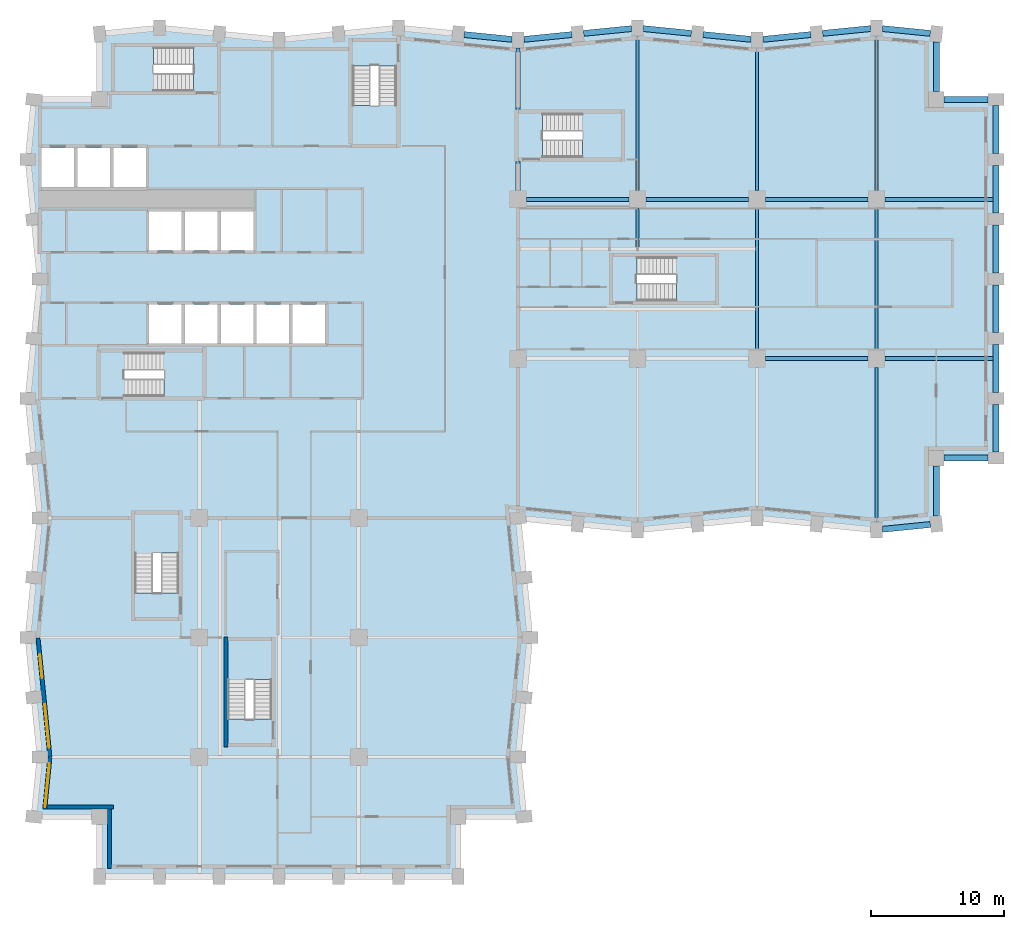
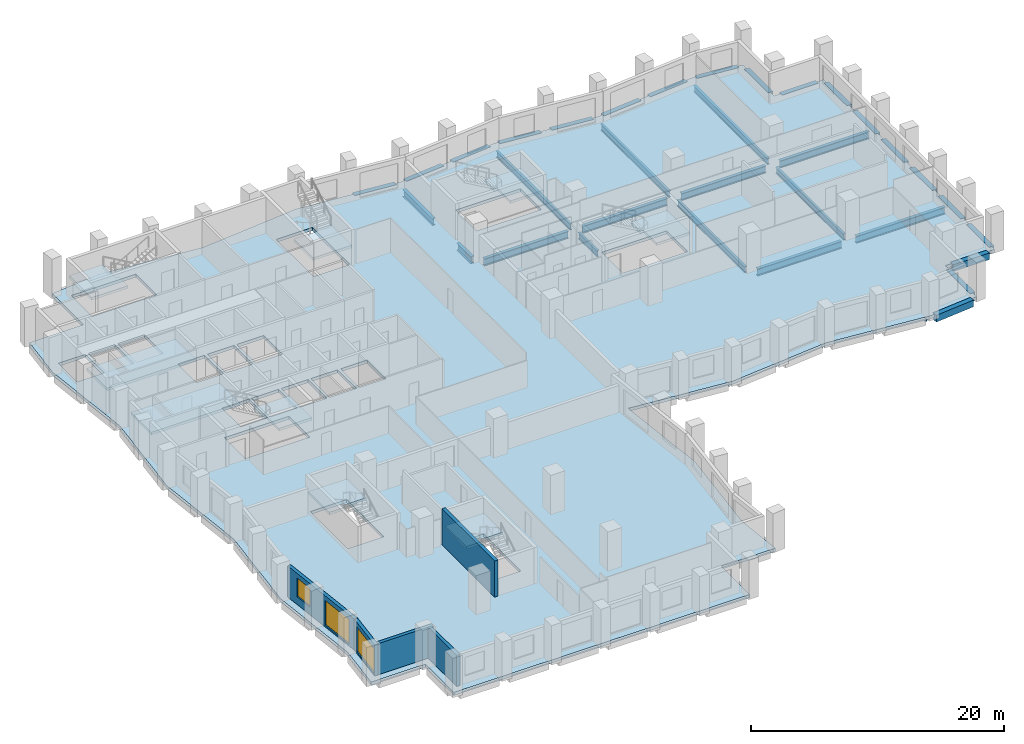
# One storey, part 2 of 11: 34 beams, 10 slabs, 5 walls, 3 windows, 3 openings, 7 elements without a shape of their own.
"""IFC4 building model written with IfcOpenShell, lengths in metres."""

from ifc_helpers import new_model, si_unit, direction, frame, frame_2d, origin, origin_2d, place, context, subcontext, project, spatial, polyline, rectangle, i_section, outline, extrude, material, layer, layer_set, material_profile, profile_set, type_object, element, fill, aggregate, save


model = new_model("IFC4")

# Units and contexts
model_context = context("Model", 3, precision=1e-05, world=origin(), true_north=direction((0.0, 1.0)))
body_context = subcontext(model_context, "Body", "Model", "MODEL_VIEW")
ifc_project = project(units=[si_unit("LENGTHUNIT", "METRE"), si_unit("AREAUNIT", "SQUARE_METRE"), si_unit("VOLUMEUNIT", "CUBIC_METRE"), si_unit("PLANEANGLEUNIT", "RADIAN"), si_unit("MASSUNIT", "GRAM", prefix="KILO")], contexts=[model_context])

# Site, building, storey
site_placement = place(None, origin())
site = spatial("IfcSite", under=ifc_project, at=site_placement, CompositionType="ELEMENT")
building_placement = place(site_placement, origin())
building = spatial("IfcBuilding", under=site, at=building_placement, Name="Brondeck Convention Tower", CompositionType="ELEMENT")
storey_placement = place(building_placement, frame((0.0, 0.0, 134.10009765625)))
storey = spatial("IfcBuildingStorey", under=building, at=storey_placement, Name="L32", CompositionType="ELEMENT", Elevation=134.10009765625)

# Beams
ifc_material_1 = material(Name="Steel S355", Category="steel")
ifc_material_profile_1 = material_profile(ifc_material_1, i_section(OverallWidth=0.219970703125, OverallDepth=0.60009765625, WebThickness=0.011962890625, FlangeThickness=0.01904296875, FilletRadius=0.02392578125, at=origin_2d()), Name="IPE 600")
ifc_profile_set_1 = profile_set([ifc_material_profile_1], Name="Steel S355")
beam_type_1 = type_object("IfcBeamType", Name="Floor beam IPE 600", PredefinedType="BEAM", material=ifc_profile_set_1)
beam_1_placement = place(storey_placement, frame((45.0, 51.64990234375, -0.60009765625), z_axis=(0.0, 1.0, 0.0), x_axis=(-1.0, 0.0, 0.0)))
element("IfcBeam", 1, at=beam_1_placement, inside=storey, type_object=beam_type_1, Name="STR-FB-L32-002", PredefinedType="BEAM", context=body_context, shape_type="SweptSolid", body=[
    extrude(i_section(OverallWidth=0.219970703125, OverallDepth=0.60009765625, WebThickness=0.011962890625, FlangeThickness=0.01904296875, FilletRadius=0.02392578125, at=origin_2d()), origin(), (0.0, 0.0, 1.0), 11.650146484375),
])
beam_2_placement = place(storey_placement, frame((54.0, 39.64990234375, -0.60009765625), z_axis=(0.0, 1.0, 0.0), x_axis=(-1.0, 0.0, 0.0)))
element("IfcBeam", 2, at=beam_2_placement, inside=storey, type_object=beam_type_1, Name="STR-FB-L32-004", PredefinedType="BEAM", context=body_context, shape_type="SweptSolid", body=[
    extrude(i_section(OverallWidth=0.219970703125, OverallDepth=0.60009765625, WebThickness=0.011962890625, FlangeThickness=0.01904296875, FilletRadius=0.02392578125, at=origin_2d()), origin(), (0.0, 0.0, 1.0), 10.7001953125),
])
beam_3_placement = place(storey_placement, frame((54.0, 51.64990234375, -0.60009765625), z_axis=(0.0, 1.0, 0.0), x_axis=(-1.0, 0.0, 0.0)))
element("IfcBeam", 3, at=beam_3_placement, inside=storey, type_object=beam_type_1, Name="STR-FB-L32-005", PredefinedType="BEAM", context=body_context, shape_type="SweptSolid", body=[
    extrude(i_section(OverallWidth=0.219970703125, OverallDepth=0.60009765625, WebThickness=0.011962890625, FlangeThickness=0.01904296875, FilletRadius=0.02392578125, at=origin_2d()), origin(), (0.0, 0.0, 1.0), 10.75),
])
beam_4_placement = place(storey_placement, frame((63.0, 26.699951171875, -0.60009765625), z_axis=(0.0, 1.0, 0.0), x_axis=(-1.0, 0.0, 0.0)))
element("IfcBeam", 4, at=beam_4_placement, inside=storey, type_object=beam_type_1, Name="STR-FB-L32-006", PredefinedType="BEAM", context=body_context, shape_type="SweptSolid", body=[
    extrude(i_section(OverallWidth=0.219970703125, OverallDepth=0.60009765625, WebThickness=0.011962890625, FlangeThickness=0.01904296875, FilletRadius=0.02392578125, at=origin_2d()), origin(), (0.0, 0.0, 1.0), 11.650146484375),
])
beam_5_placement = place(storey_placement, frame((63.0, 39.64990234375, -0.60009765625), z_axis=(0.0, 1.0, 0.0), x_axis=(-1.0, 0.0, 0.0)))
element("IfcBeam", 5, at=beam_5_placement, inside=storey, type_object=beam_type_1, Name="STR-FB-L32-007", PredefinedType="BEAM", context=body_context, shape_type="SweptSolid", body=[
    extrude(i_section(OverallWidth=0.219970703125, OverallDepth=0.60009765625, WebThickness=0.011962890625, FlangeThickness=0.01904296875, FilletRadius=0.02392578125, at=origin_2d()), origin(), (0.0, 0.0, 1.0), 10.7001953125),
])
beam_6_placement = place(storey_placement, frame((63.0, 51.64990234375, -0.60009765625), z_axis=(0.0, 1.0, 0.0), x_axis=(-1.0, 0.0, 0.0)))
element("IfcBeam", 6, at=beam_6_placement, inside=storey, type_object=beam_type_1, Name="STR-FB-L32-008", PredefinedType="BEAM", context=body_context, shape_type="SweptSolid", body=[
    extrude(i_section(OverallWidth=0.219970703125, OverallDepth=0.60009765625, WebThickness=0.011962890625, FlangeThickness=0.01904296875, FilletRadius=0.02392578125, at=origin_2d()), origin(), (0.0, 0.0, 1.0), 11.650146484375),
])
beam_7_placement = place(storey_placement, frame((45.0, 47.39990234375, -0.60009765625), z_axis=(0.0, 1.0, 0.0), x_axis=(-1.0, 0.0, 0.0)))
element("IfcBeam", 7, at=beam_7_placement, inside=storey, type_object=beam_type_1, Name="STR-FB-L32-015", PredefinedType="BEAM", context=body_context, shape_type="SweptSolid", body=[
    extrude(i_section(OverallWidth=0.219970703125, OverallDepth=0.60009765625, WebThickness=0.011962890625, FlangeThickness=0.01904296875, FilletRadius=0.02392578125, at=origin_2d()), origin(), (0.0, 0.0, 1.0), 2.9501953125),
])
ifc_material_profile_2 = material_profile(ifc_material_1, i_section(OverallWidth=0.300048828125, OverallDepth=0.699951171875, WebThickness=0.01708984375, FlangeThickness=0.031982421875, FilletRadius=0.027099609375, at=origin_2d()), Name="HEB 700")
ifc_profile_set_2 = profile_set([ifc_material_profile_2], Name="Steel S355")
beam_type_2 = type_object("IfcBeamType", Name="Girder HEB 700", PredefinedType="BEAM", material=ifc_profile_set_2)
beam_8_placement = place(storey_placement, frame((54.64990234375, 39.0, -0.650146484375), z_axis=(1.0, 0.0, 0.0), x_axis=(0.0, 1.0, 0.0)))
element("IfcBeam", 8, at=beam_8_placement, inside=storey, type_object=beam_type_2, Name="STR-GR-L32-003", PredefinedType="BEAM", context=body_context, shape_type="SweptSolid", body=[
    extrude(i_section(OverallWidth=0.300048828125, OverallDepth=0.699951171875, WebThickness=0.01708984375, FlangeThickness=0.031982421875, FilletRadius=0.027099609375, at=origin_2d()), origin(), (0.0, 0.0, 1.0), 7.7001953125),
])
beam_9_placement = place(storey_placement, frame((63.64990234375, 39.0, -0.650146484375), z_axis=(1.0, 0.0, 0.0), x_axis=(0.0, 1.0, 0.0)))
element("IfcBeam", 9, at=beam_9_placement, inside=storey, type_object=beam_type_2, Name="STR-GR-L32-004", PredefinedType="BEAM", context=body_context, shape_type="SweptSolid", body=[
    extrude(i_section(OverallWidth=0.300048828125, OverallDepth=0.699951171875, WebThickness=0.01708984375, FlangeThickness=0.031982421875, FilletRadius=0.027099609375, at=origin_2d()), origin(), (0.0, 0.0, 1.0), 8.125),
])
for number, where, z_axis, x_axis, name in (
    (10, (36.64990234375, 51.0, -0.650146484375), (1.0, 0.0, 0.0), (0.0, 1.0, 0.0), "STR-GR-L32-005"),
    (11, (45.64990234375, 51.0, -0.650146484375), (1.0, 0.0, 0.0), (0.0, 1.0, 0.0), "STR-GR-L32-006"),
    (12, (54.64990234375, 51.0, -0.650146484375), (1.0, 0.0, 0.0), (0.0, 1.0, 0.0), "STR-GR-L32-007"),
):
    element("IfcBeam", number, at=place(storey_placement, frame(where, z_axis=z_axis, x_axis=x_axis)), inside=storey, type_object=beam_type_2, Name=name, PredefinedType="BEAM", context=body_context, shape_type="SweptSolid", body=[
        extrude(i_section(OverallWidth=0.300048828125, OverallDepth=0.699951171875, WebThickness=0.01708984375, FlangeThickness=0.031982421875, FilletRadius=0.027099609375, at=origin_2d()), origin(), (0.0, 0.0, 1.0), 7.7001953125),
    ])
beam_10_placement = place(storey_placement, frame((63.64990234375, 51.0, -0.650146484375), z_axis=(1.0, 0.0, 0.0), x_axis=(0.0, 1.0, 0.0)))
element("IfcBeam", 13, at=beam_10_placement, inside=storey, type_object=beam_type_2, Name="STR-GR-L32-008", PredefinedType="BEAM", context=body_context, shape_type="SweptSolid", body=[
    extrude(i_section(OverallWidth=0.300048828125, OverallDepth=0.699951171875, WebThickness=0.01708984375, FlangeThickness=0.031982421875, FilletRadius=0.027099609375, at=origin_2d()), origin(), (0.0, 0.0, 1.0), 8.125),
])
beam_11_placement = place(storey_placement, frame((36.0, 51.64990234375, -0.650146484375), z_axis=(0.0, 1.0, 0.0), x_axis=(-1.0, 0.0, 0.0)))
element("IfcBeam", 14, at=beam_11_placement, inside=storey, type_object=beam_type_2, Name="STR-GR-L32-011", PredefinedType="BEAM", context=body_context, shape_type="SweptSolid", body=[
    extrude(i_section(OverallWidth=0.300048828125, OverallDepth=0.699951171875, WebThickness=0.01708984375, FlangeThickness=0.031982421875, FilletRadius=0.027099609375, at=origin_2d()), origin(), (0.0, 0.0, 1.0), 2.22998046875),
])
beam_12_placement = place(storey_placement, frame((36.0, 57.719970703125, -0.650146484375), z_axis=(0.0, 1.0, 0.0), x_axis=(-1.0, 0.0, 0.0)))
element("IfcBeam", 15, at=beam_12_placement, inside=storey, type_object=beam_type_2, Name="STR-GR-L32-012", PredefinedType="BEAM", context=body_context, shape_type="SweptSolid", body=[
    extrude(i_section(OverallWidth=0.300048828125, OverallDepth=0.699951171875, WebThickness=0.01708984375, FlangeThickness=0.031982421875, FilletRadius=0.027099609375, at=origin_2d()), origin(), (0.0, 0.0, 1.0), 4.679931640625),
])
ifc_material_2 = material(Name="Concrete C70/85", Category="concrete")
ifc_material_profile_3 = material_profile(ifc_material_2, rectangle(XDim=0.449951171875, YDim=0.64990234375, at=origin_2d()), Name="Precast spandrel 450x650 Concrete C70/85")
ifc_profile_set_3 = profile_set([ifc_material_profile_3], Name="Concrete C70/85")
beam_type_3 = type_object("IfcBeamType", Name="Precast spandrel 450x650 Concrete C70/85", PredefinedType="SPANDREL", material=ifc_profile_set_3)
beam_13_placement = place(storey_placement, frame((63.449951171875, 26.14501953125, -0.3251953125), z_axis=(0.995040528141, 0.099470334057, 0.0), x_axis=(-0.099470334057, 0.995040528141, 0.0)))
element("IfcBeam", 16, at=beam_13_placement, inside=storey, type_object=beam_type_3, Name="STR-SP-L32-020", PredefinedType="SPANDREL", context=body_context, shape_type="SweptSolid", body=[
    extrude(rectangle(XDim=0.449951171875, YDim=0.64990234375, at=origin_2d()), origin(), (0.0, 0.0, 1.0), 3.620361328125),
])
beam_14_placement = place(storey_placement, frame((67.5, 27.153076171875, -0.3251953125), z_axis=(0.0, 1.0, 0.0), x_axis=(-1.0, 0.0, 0.0)))
element("IfcBeam", 17, at=beam_14_placement, inside=storey, type_object=beam_type_3, Name="STR-SP-L32-021", PredefinedType="SPANDREL", context=body_context, shape_type="SweptSolid", body=[
    extrude(rectangle(XDim=0.449951171875, YDim=0.64990234375, at=origin_2d()), origin(), (0.0, 0.0, 1.0), 3.746826171875),
])
beam_15_placement = place(storey_placement, frame((68.10009765625, 31.5, -0.3251953125), z_axis=(1.0, 0.0, 0.0), x_axis=(0.0, 1.0, 0.0)))
element("IfcBeam", 18, at=beam_15_placement, inside=storey, type_object=beam_type_3, Name="STR-SP-L32-022", PredefinedType="SPANDREL", context=body_context, shape_type="SweptSolid", body=[
    extrude(rectangle(XDim=0.449951171875, YDim=0.64990234375, at=origin_2d()), origin(), (0.0, 0.0, 1.0), 3.2998046875),
])
for number, where, z_axis, x_axis, name in (
    (19, (72.0, 31.949951171875, -0.3251953125), (0.0, 1.0, 0.0), (-1.0, 0.0, 0.0), "STR-SP-L32-023"),
    (20, (72.0, 36.449951171875, -0.3251953125), (0.0, 1.0, 0.0), (-1.0, 0.0, 0.0), "STR-SP-L32-024"),
    (21, (72.0, 40.949951171875, -0.3251953125), (0.0, 1.0, 0.0), (-1.0, 0.0, 0.0), "STR-SP-L32-025"),
    (22, (72.0, 45.449951171875, -0.3251953125), (0.0, 1.0, 0.0), (-1.0, 0.0, 0.0), "STR-SP-L32-026"),
    (23, (72.0, 49.949951171875, -0.3251953125), (0.0, 1.0, 0.0), (-1.0, 0.0, 0.0), "STR-SP-L32-027"),
    (24, (72.0, 54.449951171875, -0.3251953125), (0.0, 1.0, 0.0), (-1.0, 0.0, 0.0), "STR-SP-L32-028"),
):
    element("IfcBeam", number, at=place(storey_placement, frame(where, z_axis=z_axis, x_axis=x_axis)), inside=storey, type_object=beam_type_3, Name=name, PredefinedType="SPANDREL", context=body_context, shape_type="SweptSolid", body=[
        extrude(rectangle(XDim=0.449951171875, YDim=0.64990234375, at=origin_2d()), origin(), (0.0, 0.0, 1.0), 3.60009765625),
    ])
beam_16_placement = place(storey_placement, frame((71.39990234375, 58.5, -0.3251953125), z_axis=(-1.0, 0.0, 0.0), x_axis=(0.0, -1.0, 0.0)))
element("IfcBeam", 25, at=beam_16_placement, inside=storey, type_object=beam_type_3, Name="STR-SP-L32-029", PredefinedType="SPANDREL", context=body_context, shape_type="SweptSolid", body=[
    extrude(rectangle(XDim=0.449951171875, YDim=0.64990234375, at=origin_2d()), origin(), (0.0, 0.0, 1.0), 3.2998046875),
])
beam_17_placement = place(storey_placement, frame((67.5, 59.10009765625, -0.3251953125), z_axis=(0.0, 1.0, 0.0), x_axis=(-1.0, 0.0, 0.0)))
element("IfcBeam", 26, at=beam_17_placement, inside=storey, type_object=beam_type_3, Name="STR-SP-L32-030", PredefinedType="SPANDREL", context=body_context, shape_type="SweptSolid", body=[
    extrude(rectangle(XDim=0.449951171875, YDim=0.64990234375, at=origin_2d()), origin(), (0.0, 0.0, 1.0), 3.746826171875),
])
for number, where, z_axis, x_axis, name in (
    (27, (67.05224609375, 63.494873046875, -0.3251953125), (-0.995040528141, 0.099470334057, 0.0), (-0.099470334057, -0.995040528141, 0.0), "STR-SP-L32-031"),
    (28, (62.550048828125, 63.85498046875, -0.3251953125), (-0.995040528141, -0.099470334057, 0.0), (0.099470334057, -0.995040528141, 0.0), "STR-SP-L32-032"),
    (29, (58.05224609375, 63.4052734375, -0.3251953125), (-0.995033851182, -0.099537103649, 0.0), (0.099537103649, -0.995033851182, 0.0), "STR-SP-L32-033"),
    (30, (53.550048828125, 63.044921875, -0.3251953125), (-0.995033851182, 0.099537103649, 0.0), (-0.099537103649, -0.995033851182, 0.0), "STR-SP-L32-034"),
    (31, (49.05224609375, 63.494873046875, -0.3251953125), (-0.995040528141, 0.099470334057, 0.0), (-0.099470334057, -0.995040528141, 0.0), "STR-SP-L32-035"),
    (32, (44.550048828125, 63.85498046875, -0.3251953125), (-0.995040528141, -0.099470334057, 0.0), (0.099470334057, -0.995040528141, 0.0), "STR-SP-L32-036"),
    (33, (40.05224609375, 63.4052734375, -0.3251953125), (-0.995033851182, -0.099537103649, 0.0), (0.099537103649, -0.995033851182, 0.0), "STR-SP-L32-037"),
    (34, (35.550048828125, 63.044921875, -0.3251953125), (-0.995033851182, 0.099537103649, 0.0), (-0.099537103649, -0.995033851182, 0.0), "STR-SP-L32-038"),
):
    element("IfcBeam", number, at=place(storey_placement, frame(where, z_axis=z_axis, x_axis=x_axis)), inside=storey, type_object=beam_type_3, Name=name, PredefinedType="SPANDREL", context=body_context, shape_type="SweptSolid", body=[
        extrude(rectangle(XDim=0.449951171875, YDim=0.64990234375, at=origin_2d()), origin(), (0.0, 0.0, 1.0), 3.620361328125),
    ])

# Slab
ifc_material_3 = material(Name="Concrete C35/45", Category="concrete")
ifc_layer_1 = layer(ifc_material_3, 0.300048828125)
ifc_layer_set_1 = layer_set([ifc_layer_1], Name="Composite floor slab 300")
slab_type_1 = type_object("IfcSlabType", Name="Composite floor slab 300", PredefinedType="FLOOR", material=ifc_layer_set_1)
slab_1_placement = place(storey_placement, frame((0.0, 0.0, -0.300048828125)))
element("IfcSlab", 35, at=slab_1_placement, inside=storey, type_object=slab_type_1, Name="STR-SL-L32", PredefinedType="FLOOR", context=body_context, shape_type="SweptSolid", body=[
    extrude(outline(polyline([(4.5, 4.5), (-0.449951171875, 4.5), (0.0, 9.0), (-0.89990234375, 18.0), (0.0, 27.0), (-0.89990234375, 36.0), (0.0, 45.0), (-0.89990234375, 54.0), (-0.449951171875, 58.5), (4.5, 58.5), (4.5, 63.449951171875), (9.0, 63.89990234375), (18.0, 63.0), (27.0, 63.89990234375), (36.0, 63.0), (45.0, 63.89990234375), (54.0, 63.0), (63.0, 63.89990234375), (67.5, 63.449951171875), (67.5, 58.5), (72.0, 58.5), (72.0, 31.5), (67.5, 31.5), (67.5, 26.550048828125), (63.0, 26.10009765625), (54.0, 27.0), (45.0, 26.10009765625), (36.0, 27.0), (36.89990234375, 18.0), (36.0, 9.0), (36.449951171875, 4.5), (31.5, 4.5), (31.5, 0.0), (4.5, 0.0), (4.5, 4.5)]), holes=[polyline([(10.447998046875, 27.248046875), (7.152099609375, 27.248046875), (7.152099609375, 21.35205078125), (10.447998046875, 21.35205078125), (10.447998046875, 27.248046875)]), polyline([(12.248046875, 36.152099609375), (12.248046875, 39.447998046875), (6.35205078125, 39.447998046875), (6.35205078125, 36.152099609375), (12.248046875, 36.152099609375)]), polyline([(10.675048828125, 40.125), (10.675048828125, 43.074951171875), (8.22509765625, 43.074951171875), (8.22509765625, 40.125), (10.675048828125, 40.125)]), polyline([(10.675048828125, 47.125), (10.675048828125, 50.074951171875), (8.22509765625, 50.074951171875), (8.22509765625, 47.125), (10.675048828125, 47.125)]), polyline([(13.375, 47.125), (13.375, 50.074951171875), (10.925048828125, 50.074951171875), (10.925048828125, 47.125), (13.375, 47.125)]), polyline([(2.574951171875, 51.925048828125), (2.574951171875, 54.875), (0.125, 54.875), (0.125, 51.925048828125), (2.574951171875, 51.925048828125)]), polyline([(5.27490234375, 51.925048828125), (5.27490234375, 54.875), (2.824951171875, 54.875), (2.824951171875, 51.925048828125), (5.27490234375, 51.925048828125)]), polyline([(5.52490234375, 51.925048828125), (7.97509765625, 51.925048828125), (7.97509765625, 54.875), (5.52490234375, 54.875), (5.52490234375, 51.925048828125)]), polyline([(11.548095703125, 62.447998046875), (5.652099609375, 62.447998046875), (5.652099609375, 59.152099609375), (11.548095703125, 59.152099609375), (11.548095703125, 62.447998046875)]), polyline([(17.447998046875, 17.748046875), (14.152099609375, 17.748046875), (14.152099609375, 11.85205078125), (17.447998046875, 11.85205078125), (17.447998046875, 17.748046875)]), polyline([(13.375, 40.125), (13.375, 43.074951171875), (10.925048828125, 43.074951171875), (10.925048828125, 40.125), (13.375, 40.125)]), polyline([(16.074951171875, 40.125), (16.074951171875, 43.074951171875), (13.625, 43.074951171875), (13.625, 40.125), (16.074951171875, 40.125)]), polyline([(18.77490234375, 40.125), (18.77490234375, 43.074951171875), (16.324951171875, 43.074951171875), (16.324951171875, 40.125), (18.77490234375, 40.125)]), polyline([(21.47509765625, 40.125), (21.47509765625, 43.074951171875), (19.02490234375, 43.074951171875), (19.02490234375, 40.125), (21.47509765625, 40.125)]), polyline([(50.847900390625, 43.35205078125), (50.847900390625, 46.64794921875), (44.951904296875, 46.64794921875), (44.951904296875, 43.35205078125), (50.847900390625, 43.35205078125)]), polyline([(16.074951171875, 47.125), (16.074951171875, 50.074951171875), (13.625, 50.074951171875), (13.625, 47.125), (16.074951171875, 47.125)]), polyline([(37.85205078125, 54.152099609375), (43.748046875, 54.152099609375), (43.748046875, 57.447998046875), (37.85205078125, 57.447998046875), (37.85205078125, 54.152099609375)]), polyline([(23.552001953125, 61.048095703125), (23.552001953125, 55.152099609375), (26.847900390625, 55.152099609375), (26.847900390625, 61.048095703125), (23.552001953125, 61.048095703125)])]), origin(), (0.0, 0.0, 1.0), 0.300048828125),
])

# Stair, slab
ifc_material_4 = material(Name="Precast concrete C50/60", Category="concrete")
stair_type = type_object("IfcStairType", Name="Core stair 22 risers 172.73 mm riser 300 mm going 1350 wide", PredefinedType="HALF_TURN_STAIR", material=ifc_material_4)
stair_1_placement = place(storey_placement, origin())
stair_1 = element("IfcStair", 36, at=stair_1_placement, inside=storey, type_object=stair_type, Name="ST-1 L32 stair", PredefinedType="HALF_TURN_STAIR")
ifc_layer_2 = layer(ifc_material_4, 0.25)
ifc_layer_set_2 = layer_set([ifc_layer_2], Name="Core stair landing 250 Precast concrete C50/60")
slab_type_2 = type_object("IfcSlabType", Name="Core stair landing 250 Precast concrete C50/60", PredefinedType="LANDING", material=ifc_layer_set_2)
slab_2_placement = place(storey_placement, frame((0.0, 0.0, 1.64990234375)))
slab_2 = element("IfcSlab", 37, at=slab_2_placement, type_object=slab_type_2, Name="ST-1 landing 1", PredefinedType="LANDING", context=body_context, shape_type="SweptSolid", body=[
    extrude(outline(polyline([(9.347900390625, 37.5), (9.35009765625, 37.5), (9.35009765625, 38.10009765625), (9.050048828125, 38.10009765625), (9.050048828125, 39.570068359375), (12.3701171875, 39.570068359375), (12.3701171875, 36.030029296875), (9.347900390625, 36.030029296875), (9.347900390625, 37.5)])), origin(), (0.0, 0.0, 1.0), 0.25),
])
aggregate(stair_1, [slab_2])

stair_2_placement = place(storey_placement, origin())
stair_2 = element("IfcStair", 38, at=stair_2_placement, inside=storey, type_object=stair_type, Name="ST-2 L32 stair", PredefinedType="HALF_TURN_STAIR")
slab_3_placement = place(storey_placement, frame((0.0, 0.0, 1.64990234375)))
slab_3 = element("IfcSlab", 39, at=slab_3_placement, type_object=slab_type_2, Name="ST-2 landing 1", PredefinedType="LANDING", context=body_context, shape_type="SweptSolid", body=[
    extrude(outline(polyline([(23.429931640625, 58.052001953125), (24.89990234375, 58.052001953125), (24.89990234375, 58.050048828125), (25.5, 58.050048828125), (25.5, 58.35009765625), (26.969970703125, 58.35009765625), (26.969970703125, 55.030029296875), (23.429931640625, 55.030029296875), (23.429931640625, 58.052001953125)])), origin(), (0.0, 0.0, 1.0), 0.25),
])
aggregate(stair_2, [slab_3])

stair_3_placement = place(storey_placement, origin())
stair_3 = element("IfcStair", 40, at=stair_3_placement, inside=storey, type_object=stair_type, Name="ST-3 L32 stair", PredefinedType="HALF_TURN_STAIR")
slab_4_placement = place(storey_placement, frame((0.0, 0.0, 1.64990234375)))
slab_4 = element("IfcSlab", 41, at=slab_4_placement, type_object=slab_type_2, Name="ST-3 landing 1", PredefinedType="LANDING", context=body_context, shape_type="SweptSolid", body=[
    extrude(outline(polyline([(8.85009765625, 60.5), (8.85009765625, 59.030029296875), (5.530029296875, 59.030029296875), (5.530029296875, 62.570068359375), (8.552001953125, 62.570068359375), (8.552001953125, 61.10009765625), (8.550048828125, 61.10009765625), (8.550048828125, 60.5), (8.85009765625, 60.5)])), origin(), (0.0, 0.0, 1.0), 0.25),
])
aggregate(stair_3, [slab_4])

stair_4_placement = place(storey_placement, origin())
stair_4 = element("IfcStair", 42, at=stair_4_placement, inside=storey, type_object=stair_type, Name="ST-AE L32 stair", PredefinedType="HALF_TURN_STAIR")
slab_5_placement = place(storey_placement, frame((0.0, 0.0, 1.64990234375)))
slab_5 = element("IfcSlab", 43, at=slab_5_placement, type_object=slab_type_2, Name="ST-AE landing 1", PredefinedType="LANDING", context=body_context, shape_type="SweptSolid", body=[
    extrude(outline(polyline([(40.847900390625, 55.5), (40.85009765625, 55.5), (40.85009765625, 56.10009765625), (40.550048828125, 56.10009765625), (40.550048828125, 57.570068359375), (43.8701171875, 57.570068359375), (43.8701171875, 54.030029296875), (40.847900390625, 54.030029296875), (40.847900390625, 55.5)])), origin(), (0.0, 0.0, 1.0), 0.25),
])
aggregate(stair_4, [slab_5])

stair_5_placement = place(storey_placement, origin())
stair_5 = element("IfcStair", 44, at=stair_5_placement, inside=storey, type_object=stair_type, Name="ST-BE L32 stair", PredefinedType="HALF_TURN_STAIR")
slab_6_placement = place(storey_placement, frame((0.0, 0.0, 1.64990234375)))
slab_6 = element("IfcSlab", 45, at=slab_6_placement, type_object=slab_type_2, Name="ST-BE landing 1", PredefinedType="LANDING", context=body_context, shape_type="SweptSolid", body=[
    extrude(outline(polyline([(7.030029296875, 24.050048828125), (7.030029296875, 27.3701171875), (10.570068359375, 27.3701171875), (10.570068359375, 24.347900390625), (9.10009765625, 24.347900390625), (9.10009765625, 24.35009765625), (8.5, 24.35009765625), (8.5, 24.050048828125), (7.030029296875, 24.050048828125)])), origin(), (0.0, 0.0, 1.0), 0.25),
])
aggregate(stair_5, [slab_6])

stair_6_placement = place(storey_placement, origin())
stair_6 = element("IfcStair", 46, at=stair_6_placement, inside=storey, type_object=stair_type, Name="ST-AF L32 stair", PredefinedType="HALF_TURN_STAIR")
slab_7_placement = place(storey_placement, frame((0.0, 0.0, 1.64990234375)))
slab_7 = element("IfcSlab", 47, at=slab_7_placement, type_object=slab_type_2, Name="ST-AF landing 1", PredefinedType="LANDING", context=body_context, shape_type="SweptSolid", body=[
    extrude(outline(polyline([(47.947998046875, 44.699951171875), (47.949951171875, 44.699951171875), (47.949951171875, 45.300048828125), (47.64990234375, 45.300048828125), (47.64990234375, 46.77001953125), (50.969970703125, 46.77001953125), (50.969970703125, 43.22998046875), (47.947998046875, 43.22998046875), (47.947998046875, 44.699951171875)])), origin(), (0.0, 0.0, 1.0), 0.25),
])
aggregate(stair_6, [slab_7])

stair_7_placement = place(storey_placement, origin())
stair_7 = element("IfcStair", 48, at=stair_7_placement, inside=storey, type_object=stair_type, Name="ST-BF L32 stair", PredefinedType="HALF_TURN_STAIR")
slab_8_placement = place(storey_placement, frame((0.0, 0.0, 1.64990234375)))
slab_8 = element("IfcSlab", 49, at=slab_8_placement, type_object=slab_type_2, Name="ST-BF landing 1", PredefinedType="LANDING", context=body_context, shape_type="SweptSolid", body=[
    extrude(outline(polyline([(14.030029296875, 14.550048828125), (14.030029296875, 17.8701171875), (17.570068359375, 17.8701171875), (17.570068359375, 14.847900390625), (16.10009765625, 14.847900390625), (16.10009765625, 14.85009765625), (15.5, 14.85009765625), (15.5, 14.550048828125), (14.030029296875, 14.550048828125)])), origin(), (0.0, 0.0, 1.0), 0.25),
])
aggregate(stair_7, [slab_8])

# Slabs
ifc_material_5 = material(Name="Concrete C40/50", Category="concrete")
ifc_layer_3 = layer(ifc_material_5, 0.25)
ifc_layer_set_3 = layer_set([ifc_layer_3], Name="Lift pit slab 250")
slab_type_3 = type_object("IfcSlabType", Name="Lift pit slab 250", PredefinedType="USERDEFINED", material=ifc_layer_set_3)
slab_9_placement = place(storey_placement, frame((0.0, 0.0, 2.14990234375)))
element("IfcSlab", 50, at=slab_9_placement, inside=storey, type_object=slab_type_3, Name="STR-SL-PIT-L32-1", ObjectType="LIFT PIT SLAB", PredefinedType="USERDEFINED", context=body_context, shape_type="SweptSolid", body=[
    extrude(outline(polyline([(8.10009765625, 40.0), (8.10009765625, 43.199951171875), (0.0, 43.199951171875), (0.0, 40.0), (8.10009765625, 40.0)])), origin(), (0.0, 0.0, 1.0), 0.25),
])
slab_10_placement = place(storey_placement, frame((0.0, 0.0, 2.14990234375)))
element("IfcSlab", 51, at=slab_10_placement, inside=storey, type_object=slab_type_3, Name="STR-SL-PIT-L32-2", ObjectType="LIFT PIT SLAB", PredefinedType="USERDEFINED", context=body_context, shape_type="SweptSolid", body=[
    extrude(outline(polyline([(8.10009765625, 47.0), (8.10009765625, 50.199951171875), (0.0, 50.199951171875), (0.0, 47.0), (8.10009765625, 47.0)])), origin(), (0.0, 0.0, 1.0), 0.25),
])

# Wall, openings, windows
ifc_material_6 = material(Name="Precast concrete C50/60 bronze finish", Category="concrete")
ifc_layer_4 = layer(ifc_material_6, 0.070068359375, Name="Bronze precast facing")
ifc_material_7 = material(Name="Mineral wool")
ifc_layer_5 = layer(ifc_material_7, 0.159912109375, Name="Insulation")
ifc_layer_6 = layer(ifc_material_3, 0.070068359375, Name="Backing")
ifc_layer_set_4 = layer_set([ifc_layer_4, ifc_layer_5, ifc_layer_6], Name="External infill wall, precast concrete C50/60 bronze facing")
wall_type_1 = type_object("IfcWallType", Name="External infill wall, precast concrete C50/60 bronze facing", PredefinedType="SOLIDWALL", material=ifc_layer_set_4)
wall_1_placement = place(storey_placement, frame((0.755126953125, 8.985107421875, 0.0), z_axis=(0.0, 0.0, 1.0), x_axis=(-0.099495688264, 0.995037993253, 0.0)))
wall_1 = element("IfcWall", 52, at=wall_1_placement, inside=storey, type_object=wall_type_1, Name="ENV-EW-L32-P0-B-W-10", PredefinedType="SOLIDWALL", context=body_context, shape_type="SweptSolid", body=[
    extrude(rectangle(XDim=9.030029296875, YDim=0.300048828125, at=frame_2d((4.51513671875, 0.0))), origin(), (0.0, 0.0, 1.0), 3.0),
])
opening_1_placement = place(wall_1_placement, frame((0.701171875, 0.0, 0.14990234375)))
opening_1 = element("IfcOpeningElement", 53, at=opening_1_placement, cuts=wall_1, Name="Opening W9", PredefinedType="OPENING", context=body_context, shape_type="SweptSolid", body=[
    extrude(rectangle(XDim=3.300048828125, YDim=2.39990234375, at=frame_2d((1.64990234375, 1.199951171875))), frame((0.0, 0.159912109375, 0.0), z_axis=(0.0, -1.0, 0.0), x_axis=(1.0, 0.0, 0.0)), (0.0, 0.0, 1.0), 0.320068359375),
])
opening_2_placement = place(wall_1_placement, frame((5.9736328125, 0.0, 0.75)))
opening_2 = element("IfcOpeningElement", 54, at=opening_2_placement, cuts=wall_1, Name="Opening W10", PredefinedType="OPENING", context=body_context, shape_type="SweptSolid", body=[
    extrude(rectangle(XDim=1.800048828125, YDim=1.800048828125, at=frame_2d((0.89990234375, 0.89990234375))), frame((0.0, 0.159912109375, 0.0), z_axis=(0.0, -1.0, 0.0), x_axis=(1.0, 0.0, 0.0)), (0.0, 0.0, 1.0), 0.320068359375),
])
ifc_material_8 = material(Name="Bronze tinted double glazing", Category="glass")
window_type_1 = type_object("IfcWindowType", Name="Glazed flute window, bronze tinted", PartitioningType="SINGLE_PANEL", PredefinedType="WINDOW", material=ifc_material_8)
window_1_placement = place(opening_1_placement, origin())
window_1 = element("IfcWindow", 55, at=window_1_placement, inside=storey, type_object=window_type_1, Name="ENV-WN-L32-P0-B-W-11", OverallHeight=2.39990234375, OverallWidth=3.300048828125, PartitioningType="SINGLE_PANEL", PredefinedType="WINDOW", context=body_context, shape_type="SweptSolid", body=[
    extrude(rectangle(XDim=3.300048828125, YDim=2.39990234375, at=frame_2d((1.64990234375, 1.199951171875))), frame((0.0, 0.030029296875, 0.0), z_axis=(0.0, -1.0, 0.0), x_axis=(1.0, 0.0, 0.0)), (0.0, 0.0, 1.0), 0.06005859375),
])
fill(opening_1, window_1)
window_type_2 = type_object("IfcWindowType", Name="Punched window, bronze tinted", PartitioningType="SINGLE_PANEL", PredefinedType="WINDOW", material=ifc_material_8)
window_2_placement = place(opening_2_placement, origin())
window_2 = element("IfcWindow", 56, at=window_2_placement, inside=storey, type_object=window_type_2, Name="ENV-WN-L32-P0-B-W-10", OverallHeight=1.800048828125, OverallWidth=1.800048828125, PartitioningType="SINGLE_PANEL", PredefinedType="WINDOW", context=body_context, shape_type="SweptSolid", body=[
    extrude(rectangle(XDim=1.800048828125, YDim=1.800048828125, at=frame_2d((0.89990234375, 0.89990234375))), frame((0.0, 0.030029296875, 0.0), z_axis=(0.0, -1.0, 0.0), x_axis=(1.0, 0.0, 0.0)), (0.0, 0.0, 1.0), 0.06005859375),
])
fill(opening_2, window_2)

# Wall, opening, window
wall_2_placement = place(storey_placement, frame((0.3623046875, 5.085205078125, 0.0), z_axis=(0.0, 0.0, 1.0), x_axis=(0.099485145752, 0.995039047362, 0.0)))
wall_2 = element("IfcWall", 57, at=wall_2_placement, inside=storey, type_object=wall_type_1, Name="ENV-EW-L32-P0-B-W-12", PredefinedType="SOLIDWALL", context=body_context, shape_type="SweptSolid", body=[
    extrude(rectangle(XDim=3.904296875, YDim=0.300048828125, at=frame_2d((1.9521484375, 0.0))), origin(), (0.0, 0.0, 1.0), 3.0),
])
opening_3_placement = place(wall_2_placement, frame((0.14990234375, 0.0, 0.14990234375)))
opening_3 = element("IfcOpeningElement", 58, at=opening_3_placement, cuts=wall_2, Name="Opening W9", PredefinedType="OPENING", context=body_context, shape_type="SweptSolid", body=[
    extrude(rectangle(XDim=3.300048828125, YDim=2.39990234375, at=frame_2d((1.64990234375, 1.199951171875))), frame((0.0, 0.159912109375, 0.0), z_axis=(0.0, -1.0, 0.0), x_axis=(1.0, 0.0, 0.0)), (0.0, 0.0, 1.0), 0.320068359375),
])
window_3_placement = place(opening_3_placement, origin())
window_3 = element("IfcWindow", 59, at=window_3_placement, inside=storey, type_object=window_type_1, Name="ENV-WN-L32-P0-B-W-12", OverallHeight=2.39990234375, OverallWidth=3.300048828125, PartitioningType="SINGLE_PANEL", PredefinedType="WINDOW", context=body_context, shape_type="SweptSolid", body=[
    extrude(rectangle(XDim=3.300048828125, YDim=2.39990234375, at=frame_2d((1.64990234375, 1.199951171875))), frame((0.0, 0.030029296875, 0.0), z_axis=(0.0, -1.0, 0.0), x_axis=(1.0, 0.0, 0.0)), (0.0, 0.0, 1.0), 0.06005859375),
])
fill(opening_3, window_3)

# Walls
wall_3_placement = place(storey_placement, frame((5.550048828125, 5.25, 0.0), z_axis=(0.0, 0.0, 1.0), x_axis=(-1.0, 0.0, 0.0)))
element("IfcWall", 60, at=wall_3_placement, inside=storey, type_object=wall_type_1, Name="ENV-EW-L32-P0-NC-SWB0-01", PredefinedType="SOLIDWALL", context=body_context, shape_type="SweptSolid", body=[
    extrude(rectangle(XDim=5.015380859375, YDim=0.300048828125, at=frame_2d((2.5078125, 0.0))), origin(), (0.0, 0.0, 1.0), 3.0),
])
wall_4_placement = place(storey_placement, frame((5.25, 0.60009765625, 0.0), z_axis=(0.0, 0.0, 1.0), x_axis=(0.0, 1.0, 0.0)))
element("IfcWall", 61, at=wall_4_placement, inside=storey, type_object=wall_type_1, Name="ENV-EW-L32-P0-NC-SWB0-02", PredefinedType="SOLIDWALL", context=body_context, shape_type="SweptSolid", body=[
    extrude(rectangle(XDim=4.5, YDim=0.300048828125, at=frame_2d((2.25, 0.0))), origin(), (0.0, 0.0, 1.0), 3.0),
])
ifc_layer_7 = layer(ifc_material_2, 0.300048828125)
ifc_layer_set_5 = layer_set([ifc_layer_7], Name="Stair enclosure wall 300 Concrete C70/85")
wall_type_2 = type_object("IfcWallType", Name="Stair enclosure wall 300 Concrete C70/85", PredefinedType="SHEAR", material=ifc_layer_set_5)
wall_5_placement = place(storey_placement, frame((14.0, 9.75, 0.0), z_axis=(0.0, 0.0, 1.0), x_axis=(0.0, 1.0, 0.0)))
element("IfcWall", 62, at=wall_5_placement, inside=storey, type_object=wall_type_2, Name="L32 core wall", PredefinedType="SHEAR", context=body_context, shape_type="SweptSolid", body=[
    extrude(rectangle(XDim=8.300048828125, YDim=0.300048828125, at=frame_2d((4.14990234375, 0.0))), origin(), (0.0, 0.0, 1.0), 3.5),
])

save(model, "model.ifc")
